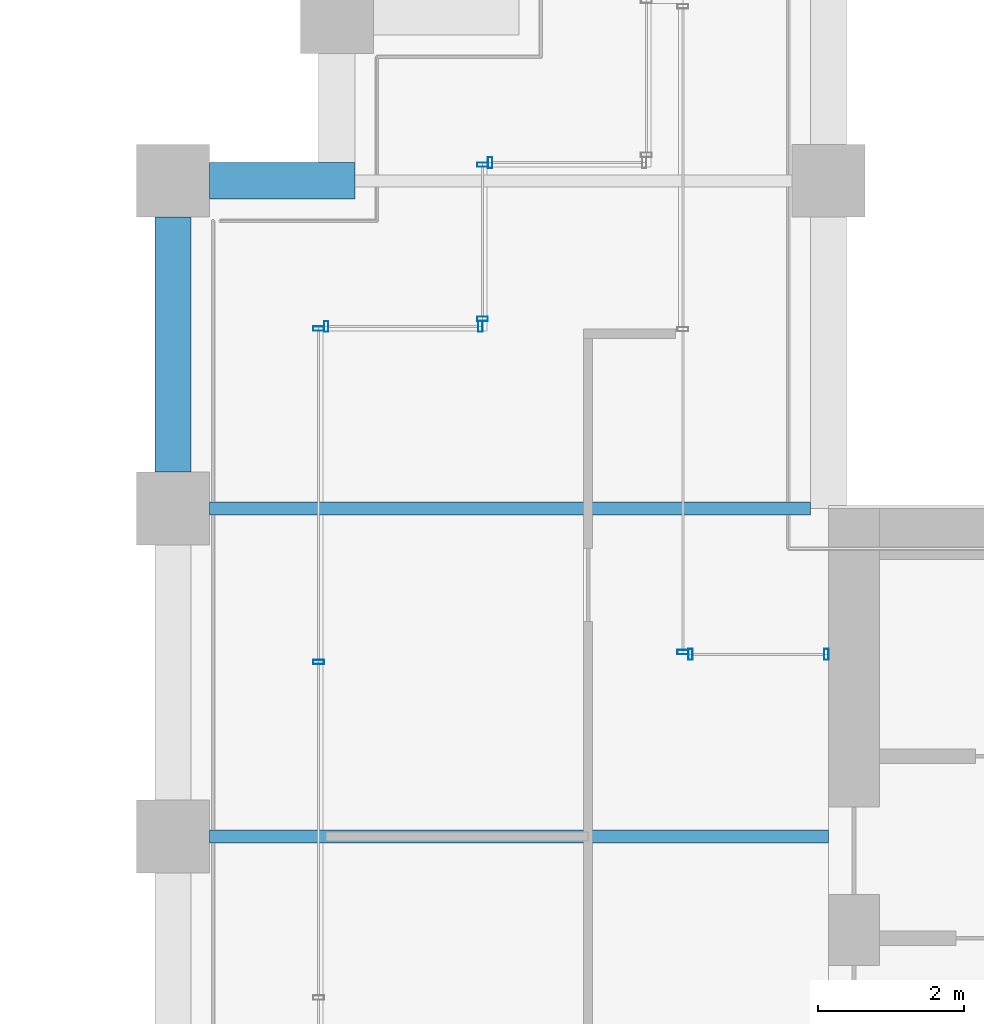
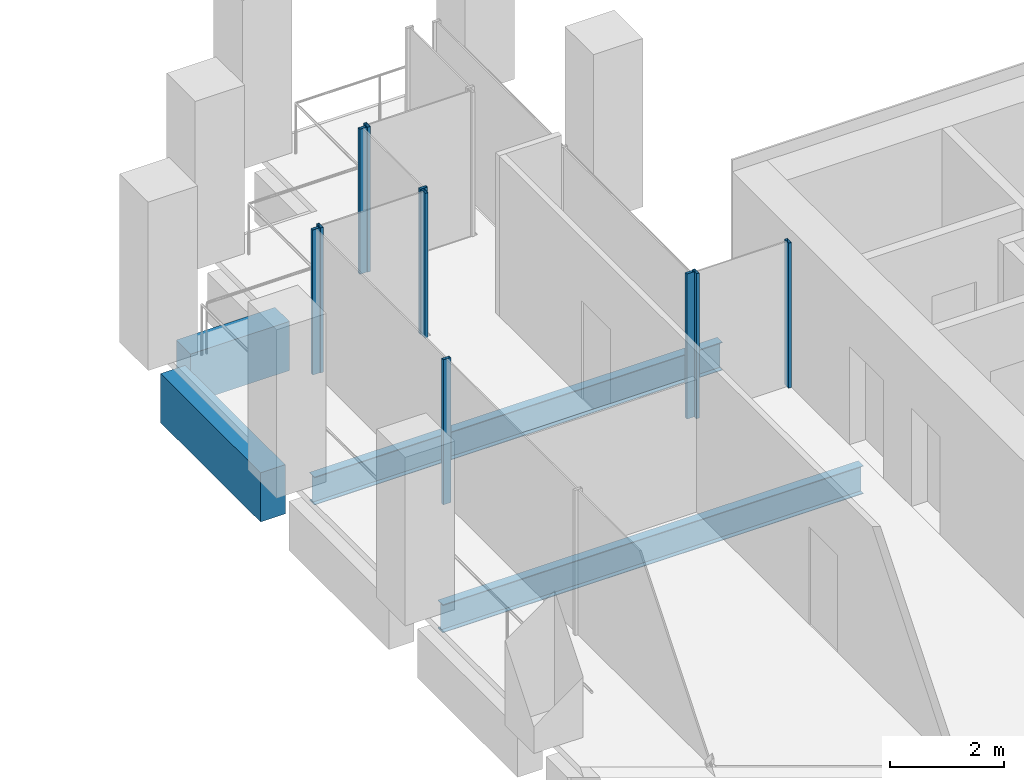
# One storey, part 34 of 46: 10 members, 4 beams, 6 elements without a shape of their own.
"""IFC4 building model written with IfcOpenShell, lengths in metres."""

from ifc_helpers import new_model, si_unit, direction, frame, origin, origin_2d, place, context, subcontext, project, spatial, rectangle, hollow_rectangle, i_section, extrude, material, material_profile, profile_set, type_object, element, aggregate, save


model = new_model("IFC4")

# Units and contexts
model_context = context("Model", 3, precision=1e-05, world=origin(), true_north=direction((0.0, 1.0)))
body_context = subcontext(model_context, "Body", "Model", "MODEL_VIEW")
ifc_project = project(units=[si_unit("LENGTHUNIT", "METRE"), si_unit("AREAUNIT", "SQUARE_METRE"), si_unit("VOLUMEUNIT", "CUBIC_METRE"), si_unit("PLANEANGLEUNIT", "RADIAN"), si_unit("MASSUNIT", "GRAM", prefix="KILO")], contexts=[model_context])

# Site, building, storey
site_placement = place(None, origin())
site = spatial("IfcSite", under=ifc_project, at=site_placement, CompositionType="ELEMENT")
building_placement = place(site_placement, origin())
building = spatial("IfcBuilding", under=site, at=building_placement, Name="Altepetl Exchange Towers", CompositionType="ELEMENT")
storey_placement = place(building_placement, frame((0.0, 0.0, 120.800048828125)))
storey = spatial("IfcBuildingStorey", under=building, at=storey_placement, Name="L29", CompositionType="ELEMENT", Elevation=120.800048828125)

# Beams
ifc_material_1 = material(Name="Steel S355", Category="steel")
ifc_material_profile_1 = material_profile(ifc_material_1, i_section(OverallWidth=0.177978515625, OverallDepth=0.59912109375, WebThickness=0.010009765625, FlangeThickness=0.0126953125, at=origin_2d()), Name="W24X55")
ifc_profile_set_1 = profile_set([ifc_material_profile_1], Name="Steel S355")
beam_type_1 = type_object("IfcBeamType", Name="Floor beam W24X55", PredefinedType="BEAM", material=ifc_profile_set_1)
beam_1_placement = place(storey_placement, frame((95.0, 45.0, -0.449462890625), z_axis=(1.0, 0.0, 0.0), x_axis=(0.0, 1.0, 0.0)))
element("IfcBeam", 1, at=beam_1_placement, inside=storey, type_object=beam_type_1, Name="bm:B:L29:009", PredefinedType="BEAM", context=body_context, shape_type="SweptSolid", body=[
    extrude(i_section(OverallWidth=0.177978515625, OverallDepth=0.59912109375, WebThickness=0.010009765625, FlangeThickness=0.0126953125, at=origin_2d()), origin(), (0.0, 0.0, 1.0), 8.5),
])
beam_2_placement = place(storey_placement, frame((95.0, 49.5, -0.449462890625), z_axis=(1.0, 0.0, 0.0), x_axis=(0.0, 1.0, 0.0)))
element("IfcBeam", 2, at=beam_2_placement, inside=storey, type_object=beam_type_1, Name="bm:B:L29:010", PredefinedType="BEAM", context=body_context, shape_type="SweptSolid", body=[
    extrude(i_section(OverallWidth=0.177978515625, OverallDepth=0.59912109375, WebThickness=0.010009765625, FlangeThickness=0.0126953125, at=origin_2d()), origin(), (0.0, 0.0, 1.0), 8.25),
])

# Curtain wall, members
ifc_material_2 = material(Name="Aluminium 6063-T6 glazing", Category="aluminium")
curtain_wall_type = type_object("IfcCurtainWallType", Name="Loggia glazing system", PredefinedType="NOTDEFINED", material=ifc_material_2)
curtain_wall_1_placement = place(storey_placement, origin())
curtain_wall_1 = element("IfcCurtainWall", 3, at=curtain_wall_1_placement, inside=storey, type_object=curtain_wall_type, Name="CW1 run", PredefinedType="NOTDEFINED")
ifc_material_3 = material(Name="Aluminium 6063-T6", Category="aluminium")
ifc_material_profile_2 = material_profile(ifc_material_3, hollow_rectangle(XDim=0.06005859375, YDim=0.14990234375, WallThickness=0.0029296875, at=origin_2d()), Name="Mullion 60x150 aluminium")
ifc_profile_set_2 = profile_set([ifc_material_profile_2], Name="Aluminium 6063-T6")
member_type = type_object("IfcMemberType", Name="Mullion 60x150 aluminium", PredefinedType="MULLION", material=ifc_profile_set_2)
member_1_placement = place(storey_placement, frame((98.719970703125, 52.0, 0.0), z_axis=(0.0, 0.0, 1.0), x_axis=(-1.0, 0.0, 0.0)))
member_1 = element("IfcMember", 4, at=member_1_placement, type_object=member_type, Name="MU1 mullion", PredefinedType="MULLION", context=body_context, shape_type="SweptSolid", body=[
    extrude(hollow_rectangle(XDim=0.06005859375, YDim=0.14990234375, WallThickness=0.0029296875, at=origin_2d()), origin(), (0.0, 0.0, 1.0), 3.099853515625),
])
member_2_placement = place(storey_placement, frame((96.60498046875, 52.0, 0.0), z_axis=(0.0, 0.0, 1.0), x_axis=(-1.0, 0.0, 0.0)))
member_2 = element("IfcMember", 5, at=member_2_placement, type_object=member_type, Name="MU1 mullion", PredefinedType="MULLION", context=body_context, shape_type="SweptSolid", body=[
    extrude(hollow_rectangle(XDim=0.06005859375, YDim=0.14990234375, WallThickness=0.0029296875, at=origin_2d()), origin(), (0.0, 0.0, 1.0), 3.099853515625),
])
aggregate(curtain_wall_1, [member_1, member_2])

curtain_wall_2_placement = place(storey_placement, origin())
curtain_wall_2 = element("IfcCurtainWall", 6, at=curtain_wall_2_placement, inside=storey, type_object=curtain_wall_type, Name="CW1 run", PredefinedType="NOTDEFINED")
member_3_placement = place(storey_placement, frame((96.5, 51.969970703125, 0.0), z_axis=(0.0, 0.0, 1.0), x_axis=(0.0, -1.0, 0.0)))
member_3 = element("IfcMember", 7, at=member_3_placement, type_object=member_type, Name="MU1 mullion", PredefinedType="MULLION", context=body_context, shape_type="SweptSolid", body=[
    extrude(hollow_rectangle(XDim=0.06005859375, YDim=0.14990234375, WallThickness=0.0029296875, at=origin_2d()), origin(), (0.0, 0.0, 1.0), 3.099853515625),
])
member_4_placement = place(storey_placement, frame((96.5, 47.393798828125, 0.0), z_axis=(0.0, 0.0, 1.0), x_axis=(0.0, -1.0, 0.0)))
member_4 = element("IfcMember", 8, at=member_4_placement, type_object=member_type, Name="MU1 mullion", PredefinedType="MULLION", context=body_context, shape_type="SweptSolid", body=[
    extrude(hollow_rectangle(XDim=0.06005859375, YDim=0.14990234375, WallThickness=0.0029296875, at=origin_2d()), origin(), (0.0, 0.0, 1.0), 3.099853515625),
])
aggregate(curtain_wall_2, [member_3, member_4])

curtain_wall_3_placement = place(storey_placement, origin())
curtain_wall_3 = element("IfcCurtainWall", 9, at=curtain_wall_3_placement, inside=storey, type_object=curtain_wall_type, Name="CW1 run", PredefinedType="NOTDEFINED")
member_5_placement = place(storey_placement, frame((103.469970703125, 47.5, 0.0), z_axis=(0.0, 0.0, 1.0), x_axis=(-1.0, 0.0, 0.0)))
member_5 = element("IfcMember", 10, at=member_5_placement, type_object=member_type, Name="MU1 mullion", PredefinedType="MULLION", context=body_context, shape_type="SweptSolid", body=[
    extrude(hollow_rectangle(XDim=0.06005859375, YDim=0.14990234375, WallThickness=0.0029296875, at=origin_2d()), origin(), (0.0, 0.0, 1.0), 3.099853515625),
])
member_6_placement = place(storey_placement, frame((101.60498046875, 47.5, 0.0), z_axis=(0.0, 0.0, 1.0), x_axis=(-1.0, 0.0, 0.0)))
member_6 = element("IfcMember", 11, at=member_6_placement, type_object=member_type, Name="MU1 mullion", PredefinedType="MULLION", context=body_context, shape_type="SweptSolid", body=[
    extrude(hollow_rectangle(XDim=0.06005859375, YDim=0.14990234375, WallThickness=0.0029296875, at=origin_2d()), origin(), (0.0, 0.0, 1.0), 3.099853515625),
])
aggregate(curtain_wall_3, [member_5, member_6])

# Curtain wall, member
curtain_wall_4_placement = place(storey_placement, origin())
curtain_wall_4 = element("IfcCurtainWall", 12, at=curtain_wall_4_placement, inside=storey, type_object=curtain_wall_type, Name="CW1 run", PredefinedType="NOTDEFINED")
member_7_placement = place(storey_placement, frame((101.5, 47.530029296875, 0.0), z_axis=(0.0, 0.0, 1.0), x_axis=(0.0, 1.0, 0.0)))
member_7 = element("IfcMember", 13, at=member_7_placement, type_object=member_type, Name="MU1 mullion", PredefinedType="MULLION", context=body_context, shape_type="SweptSolid", body=[
    extrude(hollow_rectangle(XDim=0.06005859375, YDim=0.14990234375, WallThickness=0.0029296875, at=origin_2d()), origin(), (0.0, 0.0, 1.0), 3.099853515625),
])
aggregate(curtain_wall_4, [member_7])

curtain_wall_5_placement = place(storey_placement, origin())
curtain_wall_5 = element("IfcCurtainWall", 14, at=curtain_wall_5_placement, inside=storey, type_object=curtain_wall_type, Name="CW1 run", PredefinedType="NOTDEFINED")
member_8_placement = place(storey_placement, frame((98.85498046875, 54.25, 0.0), z_axis=(0.0, 0.0, 1.0), x_axis=(-1.0, 0.0, 0.0)))
member_8 = element("IfcMember", 15, at=member_8_placement, type_object=member_type, Name="MU1 mullion", PredefinedType="MULLION", context=body_context, shape_type="SweptSolid", body=[
    extrude(hollow_rectangle(XDim=0.06005859375, YDim=0.14990234375, WallThickness=0.0029296875, at=origin_2d()), origin(), (0.0, 0.0, 1.0), 3.099853515625),
])
aggregate(curtain_wall_5, [member_8])

# Curtain wall, members
curtain_wall_6_placement = place(storey_placement, origin())
curtain_wall_6 = element("IfcCurtainWall", 16, at=curtain_wall_6_placement, inside=storey, type_object=curtain_wall_type, Name="CW1 run", PredefinedType="NOTDEFINED")
member_9_placement = place(storey_placement, frame((98.75, 54.219970703125, 0.0), z_axis=(0.0, 0.0, 1.0), x_axis=(0.0, -1.0, 0.0)))
member_9 = element("IfcMember", 17, at=member_9_placement, type_object=member_type, Name="MU1 mullion", PredefinedType="MULLION", context=body_context, shape_type="SweptSolid", body=[
    extrude(hollow_rectangle(XDim=0.06005859375, YDim=0.14990234375, WallThickness=0.0029296875, at=origin_2d()), origin(), (0.0, 0.0, 1.0), 3.099853515625),
])
member_10_placement = place(storey_placement, frame((98.75, 52.10498046875, 0.0), z_axis=(0.0, 0.0, 1.0), x_axis=(0.0, -1.0, 0.0)))
member_10 = element("IfcMember", 18, at=member_10_placement, type_object=member_type, Name="MU1 mullion", PredefinedType="MULLION", context=body_context, shape_type="SweptSolid", body=[
    extrude(hollow_rectangle(XDim=0.06005859375, YDim=0.14990234375, WallThickness=0.0029296875, at=origin_2d()), origin(), (0.0, 0.0, 1.0), 3.099853515625),
])
aggregate(curtain_wall_6, [member_9, member_10])

# Beams
ifc_material_4 = material(Name="Concrete C50/60 precast with cantera rosa facing", Category="concrete")
ifc_material_profile_3 = material_profile(ifc_material_4, rectangle(XDim=0.5, YDim=1.050048828125, at=origin_2d()), Name="500 x 1050")
ifc_profile_set_3 = profile_set([ifc_material_profile_3], Name="Concrete C50/60 precast with cantera rosa facing")
beam_type_2 = type_object("IfcBeamType", Name="Spandrel beam 500x1050 cantera rosa", PredefinedType="SPANDREL", material=ifc_profile_set_3)
beam_3_placement = place(storey_placement, frame((97.0, 54.0, -0.675048828125), z_axis=(-1.0, 0.0, 0.0), x_axis=(0.0, -1.0, 0.0)))
element("IfcBeam", 19, at=beam_3_placement, inside=storey, type_object=beam_type_2, Name="sp:B:L29:021", PredefinedType="SPANDREL", context=body_context, shape_type="SweptSolid", body=[
    extrude(rectangle(XDim=0.5, YDim=1.050048828125, at=origin_2d()), origin(), (0.0, 0.0, 1.0), 2.0),
])
beam_4_placement = place(storey_placement, frame((94.5, 53.5, -0.675048828125), z_axis=(0.0, -1.0, 0.0), x_axis=(1.0, 0.0, 0.0)))
element("IfcBeam", 20, at=beam_4_placement, inside=storey, type_object=beam_type_2, Name="sp:B:L29:022", PredefinedType="SPANDREL", context=body_context, shape_type="SweptSolid", body=[
    extrude(rectangle(XDim=0.5, YDim=1.050048828125, at=origin_2d()), origin(), (0.0, 0.0, 1.0), 3.5),
])

save(model, "model.ifc")
